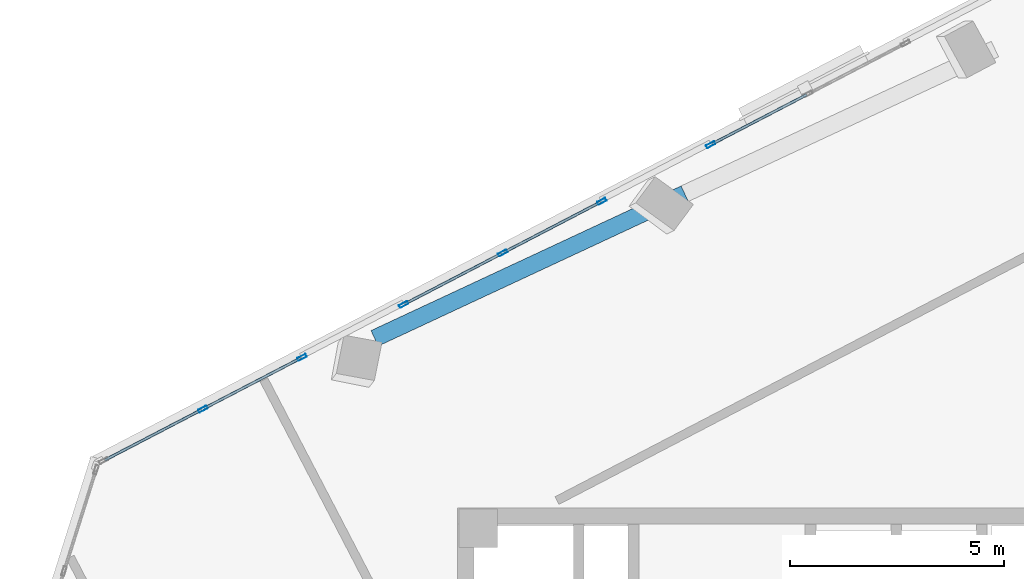
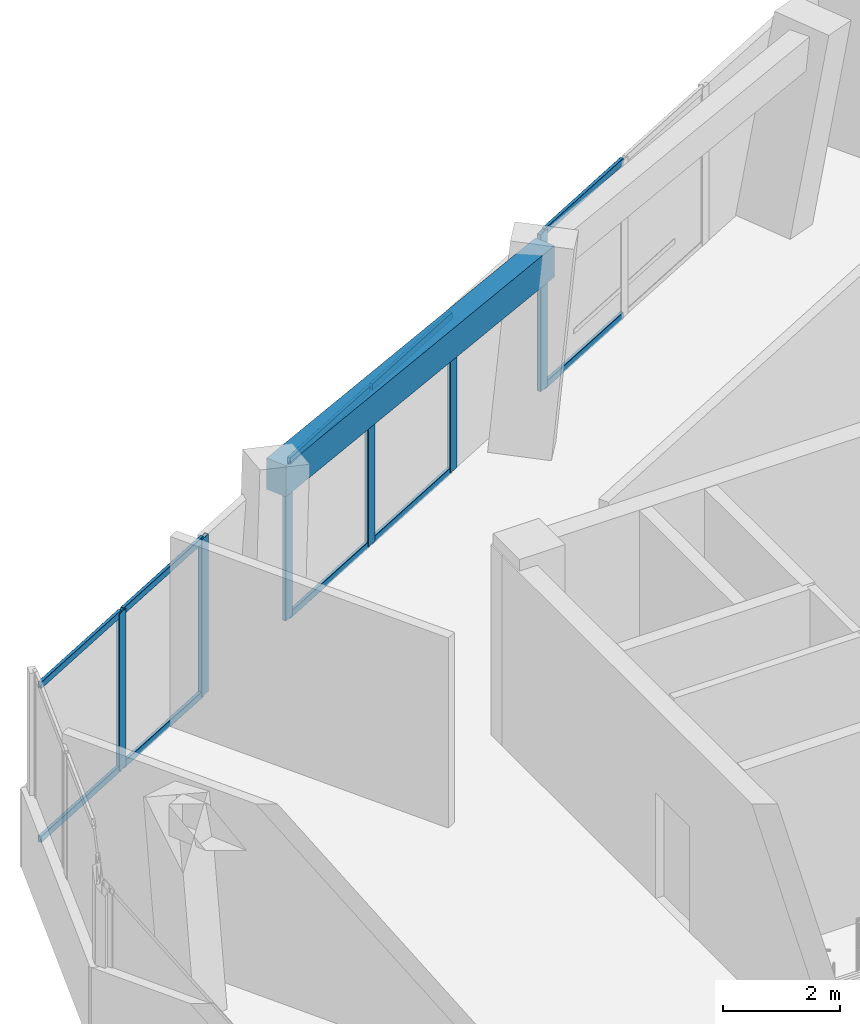
# One storey, part 8 of 16: 16 members, 1 beam, 3 elements without a shape of their own.
"""IFC4 building model written with IfcOpenShell, lengths in metres."""

from ifc_helpers import new_model, si_unit, direction, frame, origin, origin_2d, place, context, subcontext, project, spatial, rectangle, hollow_rectangle, extrude, source, transform, mapped, material, material_profile, profile_set, type_object, element, aggregate, save


model = new_model("IFC4")

# Units and contexts
model_context = context("Model", 3, precision=1e-05, world=origin(), true_north=direction((0.0, 1.0)))
body_context = subcontext(model_context, "Body", "Model", "MODEL_VIEW")
ifc_project = project(units=[si_unit("LENGTHUNIT", "METRE"), si_unit("AREAUNIT", "SQUARE_METRE"), si_unit("VOLUMEUNIT", "CUBIC_METRE"), si_unit("PLANEANGLEUNIT", "RADIAN"), si_unit("MASSUNIT", "GRAM", prefix="KILO")], contexts=[model_context])

# Site, building, storey
site_placement = place(None, origin())
site = spatial("IfcSite", under=ifc_project, at=site_placement, CompositionType="ELEMENT")
building_placement = place(site_placement, origin())
building = spatial("IfcBuilding", under=site, at=building_placement, Name="Torre Montelarca", CompositionType="ELEMENT")
storey_placement = place(building_placement, frame((0.0, 0.0, 336.60009765625)))
storey = spatial("IfcBuildingStorey", under=building, at=storey_placement, Name="L76", CompositionType="ELEMENT", Elevation=336.60009765625)

# Beam
ifc_material_1 = material(Name="Concrete C40/50", Category="concrete")
ifc_material_profile_1 = material_profile(ifc_material_1, rectangle(XDim=0.39990234375, YDim=0.64990234375, at=origin_2d()), Name="RCB400X650", Category="concrete")
ifc_profile_set_1 = profile_set([ifc_material_profile_1], Name="Concrete C40/50")
beam_type = type_object("IfcBeamType", Name="BM-SP-RC650-EXT", PredefinedType="SPANDREL", material=ifc_profile_set_1)
shared_shape_1 = source(origin(), body_context, "Body", "SweptSolid", [
    extrude(rectangle(XDim=0.39990234375, YDim=0.64990234375, at=origin_2d()), origin(), (0.0, 0.0, 1.0), 8.0),
])
beam_placement = place(storey_placement, frame((7.12841796875, 43.890380859375, 3.635009765625), z_axis=(0.906312519031, 0.422608113797, 0.0), x_axis=(-0.422608113797, 0.906312519031, 0.0)))
element("IfcBeam", 1, at=beam_placement, inside=storey, type_object=beam_type, Name="L76 Grid Girder Y 24.0-32.0 at X=4.7", PredefinedType="SPANDREL", context=body_context, shape_type="MappedRepresentation", body=[
    mapped(shared_shape_1, transform((0.0, 0.0, 0.0), scale=1.0)),
])

# Curtain wall, member
ifc_material_2 = material(Name="Insulated low-E laminated glass", Category="glass")
curtain_wall_type = type_object("IfcCurtainWallType", Name="CW-SYS-Z4", PredefinedType="USERDEFINED", material=ifc_material_2)
curtain_wall_1_placement = place(storey_placement, origin())
curtain_wall_1 = element("IfcCurtainWall", 2, at=curtain_wall_1_placement, inside=storey, type_object=curtain_wall_type, Name="L76 Curtain Wall Run CW-T3-L76-E10-B1", ObjectType="UNITISED GLAZING", PredefinedType="USERDEFINED")
ifc_material_3 = material(Name="Anodised aluminium AA 6063-T6", Category="aluminium")
ifc_material_profile_2 = material_profile(ifc_material_3, hollow_rectangle(XDim=0.074951171875, YDim=0.219970703125, WallThickness=0.0048828125, InnerFilletRadius=0.0048828125, OuterFilletRadius=0.010009765625, at=origin_2d()), Name="ALU75X220X5", Category="aluminium")
ifc_profile_set_2 = profile_set([ifc_material_profile_2], Name="Anodised aluminium AA 6063-T6")
member_type_1 = type_object("IfcMemberType", Name="CWM-ALU220", PredefinedType="MULLION", material=ifc_profile_set_2)
shared_shape_2 = source(origin(), body_context, "Body", "SweptSolid", [
    extrude(hollow_rectangle(XDim=0.074951171875, YDim=0.219970703125, WallThickness=0.0048828125, InnerFilletRadius=0.0048828125, OuterFilletRadius=0.010009765625, at=origin_2d()), origin(), (0.0, 0.0, 1.0), 3.27490234375),
])
member_1_placement = place(storey_placement, frame((14.986083984375, 48.417236328125, 0.0), z_axis=(0.0, 0.0, 1.0), x_axis=(0.461755572898, -0.887007210172, 0.0)))
member_1 = element("IfcMember", 3, at=member_1_placement, type_object=member_type_1, Name="CW mullion 3", PredefinedType="MULLION", context=body_context, shape_type="MappedRepresentation", body=[
    mapped(shared_shape_2, transform((0.0, 0.0, 0.0), scale=1.0)),
])

# Curtain wall, members
curtain_wall_2_placement = place(storey_placement, origin())
curtain_wall_2 = element("IfcCurtainWall", 4, at=curtain_wall_2_placement, inside=storey, type_object=curtain_wall_type, Name="L76 Curtain Wall Run CW-T3-L76-E10-B2", ObjectType="UNITISED GLAZING", PredefinedType="USERDEFINED")
member_2_placement = place(storey_placement, frame((12.440185546875, 47.091796875, 0.0), z_axis=(0.0, 0.0, 1.0), x_axis=(0.461757456773, -0.887006229468, 0.0)))
member_2 = element("IfcMember", 5, at=member_2_placement, type_object=member_type_1, Name="CW mullion 1", PredefinedType="MULLION", context=body_context, shape_type="MappedRepresentation", body=[
    mapped(shared_shape_2, transform((0.0, 0.0, 0.0), scale=1.0)),
])
member_3_placement = place(storey_placement, frame((10.1240234375, 45.88623046875, 0.0), z_axis=(0.0, 0.0, 1.0), x_axis=(0.461757456773, -0.887006229468, 0.0)))
member_3 = element("IfcMember", 6, at=member_3_placement, type_object=member_type_1, Name="CW mullion 2", PredefinedType="MULLION", context=body_context, shape_type="MappedRepresentation", body=[
    mapped(shared_shape_2, transform((0.0, 0.0, 0.0), scale=1.0)),
])
member_4_placement = place(storey_placement, frame((7.807861328125, 44.680419921875, 0.0), z_axis=(0.0, 0.0, 1.0), x_axis=(0.461757456773, -0.887006229468, 0.0)))
member_4 = element("IfcMember", 7, at=member_4_placement, type_object=member_type_1, Name="CW mullion 3", PredefinedType="MULLION", context=body_context, shape_type="MappedRepresentation", body=[
    mapped(shared_shape_2, transform((0.0, 0.0, 0.0), scale=1.0)),
])

curtain_wall_3_placement = place(storey_placement, origin())
curtain_wall_3 = element("IfcCurtainWall", 8, at=curtain_wall_3_placement, inside=storey, type_object=curtain_wall_type, Name="L76 Curtain Wall Run CW-T3-L76-E10-B3", ObjectType="UNITISED GLAZING", PredefinedType="USERDEFINED")
member_5_placement = place(storey_placement, frame((5.4326171875, 43.444091796875, 0.0), z_axis=(0.0, 0.0, 1.0), x_axis=(0.46173914052, -0.887015764297, 0.0)))
member_5 = element("IfcMember", 9, at=member_5_placement, type_object=member_type_1, Name="CW mullion 1", PredefinedType="MULLION", context=body_context, shape_type="MappedRepresentation", body=[
    mapped(shared_shape_2, transform((0.0, 0.0, 0.0), scale=1.0)),
])
member_6_placement = place(storey_placement, frame((3.113525390625, 42.23681640625, 0.0), z_axis=(0.0, 0.0, 1.0), x_axis=(0.46173914052, -0.887015764297, 0.0)))
member_6 = element("IfcMember", 10, at=member_6_placement, type_object=member_type_1, Name="CW mullion 2", PredefinedType="MULLION", context=body_context, shape_type="MappedRepresentation", body=[
    mapped(shared_shape_2, transform((0.0, 0.0, 0.0), scale=1.0)),
])
ifc_material_profile_3 = material_profile(ifc_material_3, hollow_rectangle(XDim=0.06494140625, YDim=0.139892578125, WallThickness=0.00390625, InnerFilletRadius=0.00390625, OuterFilletRadius=0.008056640625, at=origin_2d()), Name="ALU65X140X4", Category="aluminium")
ifc_profile_set_3 = profile_set([ifc_material_profile_3], Name="Anodised aluminium AA 6063-T6")
member_type_2 = type_object("IfcMemberType", Name="CWT-ALU140", PredefinedType="USERDEFINED", material=ifc_profile_set_3)
shared_shape_3 = source(origin(), body_context, "Body", "SweptSolid", [
    extrude(hollow_rectangle(XDim=0.06494140625, YDim=0.139892578125, WallThickness=0.00390625, InnerFilletRadius=0.00390625, OuterFilletRadius=0.008056640625, at=origin_2d()), origin(), (0.0, 0.0, 1.0), 2.53955078125),
])
member_7_placement = place(storey_placement, frame((3.080322265625, 42.219482421875, 0.032470703125), z_axis=(-0.887021549542, -0.461728026709, 0.0), x_axis=(0.461728026709, -0.887021549542, 0.0)))
member_7 = element("IfcMember", 11, at=member_7_placement, type_object=member_type_2, Name="CW transom 2.1", ObjectType="TRANSOM", PredefinedType="USERDEFINED", context=body_context, shape_type="MappedRepresentation", body=[
    mapped(shared_shape_3, transform((0.0, 0.0, 0.0), scale=1.0)),
])
member_8_placement = place(storey_placement, frame((3.080322265625, 42.219482421875, 3.242431640625), z_axis=(-0.887021549542, -0.461728026709, 0.0), x_axis=(0.461728026709, -0.887021549542, 0.0)))
member_8 = element("IfcMember", 12, at=member_8_placement, type_object=member_type_2, Name="CW transom 2.2", ObjectType="TRANSOM", PredefinedType="USERDEFINED", context=body_context, shape_type="MappedRepresentation", body=[
    mapped(shared_shape_3, transform((0.0, 0.0, 0.0), scale=1.0)),
])
shared_shape_4 = source(origin(), body_context, "Body", "SweptSolid", [
    extrude(hollow_rectangle(XDim=0.06494140625, YDim=0.139892578125, WallThickness=0.00390625, InnerFilletRadius=0.00390625, OuterFilletRadius=0.008056640625, at=origin_2d()), origin(), (0.0, 0.0, 1.0), 2.539306640625),
])
member_9_placement = place(storey_placement, frame((5.3994140625, 43.4267578125, 0.032470703125), z_axis=(-0.887001052005, -0.461767402209, 0.0), x_axis=(0.461767402209, -0.887001052005, 0.0)))
member_9 = element("IfcMember", 13, at=member_9_placement, type_object=member_type_2, Name="CW transom 1.1", ObjectType="TRANSOM", PredefinedType="USERDEFINED", context=body_context, shape_type="MappedRepresentation", body=[
    mapped(shared_shape_4, transform((0.0, 0.0, 0.0), scale=1.0)),
])
member_10_placement = place(storey_placement, frame((5.3994140625, 43.4267578125, 3.242431640625), z_axis=(-0.887001052005, -0.461767402209, 0.0), x_axis=(0.461767402209, -0.887001052005, 0.0)))
member_10 = element("IfcMember", 14, at=member_10_placement, type_object=member_type_2, Name="CW transom 1.2", ObjectType="TRANSOM", PredefinedType="USERDEFINED", context=body_context, shape_type="MappedRepresentation", body=[
    mapped(shared_shape_4, transform((0.0, 0.0, 0.0), scale=1.0)),
])
aggregate(curtain_wall_3, [member_5, member_6, member_9, member_10, member_7, member_8])

# Member
shared_shape_5 = source(origin(), body_context, "Body", "SweptSolid", [
    extrude(hollow_rectangle(XDim=0.06494140625, YDim=0.139892578125, WallThickness=0.00390625, InnerFilletRadius=0.00390625, OuterFilletRadius=0.008056640625, at=origin_2d()), origin(), (0.0, 0.0, 1.0), 2.489990234375),
])
member_11_placement = place(storey_placement, frame((17.227783203125, 49.584228515625, 0.032470703125), z_axis=(-0.886972660132, -0.461821935576, 0.0), x_axis=(0.461821935576, -0.886972660132, 0.0)))
member_11 = element("IfcMember", 15, at=member_11_placement, type_object=member_type_2, Name="CW transom 2.1", ObjectType="TRANSOM", PredefinedType="USERDEFINED", context=body_context, shape_type="MappedRepresentation", body=[
    mapped(shared_shape_5, transform((0.0, 0.0, 0.0), scale=1.0)),
])

member_12_placement = place(storey_placement, frame((17.227783203125, 49.584228515625, 3.242431640625), z_axis=(-0.886972660132, -0.461821935576, 0.0), x_axis=(0.461821935576, -0.886972660132, 0.0)))
member_12 = element("IfcMember", 16, at=member_12_placement, type_object=member_type_2, Name="CW transom 2.2", ObjectType="TRANSOM", PredefinedType="USERDEFINED", context=body_context, shape_type="MappedRepresentation", body=[
    mapped(shared_shape_5, transform((0.0, 0.0, 0.0), scale=1.0)),
])

aggregate(curtain_wall_1, [member_1, member_11, member_12])

shared_shape_6 = source(origin(), body_context, "Body", "SweptSolid", [
    extrude(hollow_rectangle(XDim=0.06494140625, YDim=0.139892578125, WallThickness=0.00390625, InnerFilletRadius=0.00390625, OuterFilletRadius=0.008056640625, at=origin_2d()), origin(), (0.0, 0.0, 1.0), 2.5361328125),
])
member_13_placement = place(storey_placement, frame((12.406982421875, 47.074462890625, 0.032470703125), z_axis=(-0.887051256532, -0.461670952396, 0.0), x_axis=(0.461670952396, -0.887051256532, 0.0)))
member_13 = element("IfcMember", 17, at=member_13_placement, type_object=member_type_2, Name="CW transom 1.1", ObjectType="TRANSOM", PredefinedType="USERDEFINED", context=body_context, shape_type="MappedRepresentation", body=[
    mapped(shared_shape_6, transform((0.0, 0.0, 0.0), scale=1.0)),
])

member_14_placement = place(storey_placement, frame((12.406982421875, 47.074462890625, 3.242431640625), z_axis=(-0.887051256532, -0.461670952396, 0.0), x_axis=(0.461670952396, -0.887051256532, 0.0)))
member_14 = element("IfcMember", 18, at=member_14_placement, type_object=member_type_2, Name="CW transom 1.2", ObjectType="TRANSOM", PredefinedType="USERDEFINED", context=body_context, shape_type="MappedRepresentation", body=[
    mapped(shared_shape_6, transform((0.0, 0.0, 0.0), scale=1.0)),
])

shared_shape_7 = source(origin(), body_context, "Body", "SweptSolid", [
    extrude(hollow_rectangle(XDim=0.06494140625, YDim=0.139892578125, WallThickness=0.00390625, InnerFilletRadius=0.00390625, OuterFilletRadius=0.008056640625, at=origin_2d()), origin(), (0.0, 0.0, 1.0), 2.536376953125),
])
member_15_placement = place(storey_placement, frame((10.0908203125, 45.868896484375, 0.032470703125), z_axis=(-0.887011833414, -0.461746691795, 0.0), x_axis=(0.461746691795, -0.887011833414, 0.0)))
member_15 = element("IfcMember", 19, at=member_15_placement, type_object=member_type_2, Name="CW transom 2.1", ObjectType="TRANSOM", PredefinedType="USERDEFINED", context=body_context, shape_type="MappedRepresentation", body=[
    mapped(shared_shape_7, transform((0.0, 0.0, 0.0), scale=1.0)),
])

member_16_placement = place(storey_placement, frame((10.0908203125, 45.868896484375, 3.242431640625), z_axis=(-0.887011833414, -0.461746691795, 0.0), x_axis=(0.461746691795, -0.887011833414, 0.0)))
member_16 = element("IfcMember", 20, at=member_16_placement, type_object=member_type_2, Name="CW transom 2.2", ObjectType="TRANSOM", PredefinedType="USERDEFINED", context=body_context, shape_type="MappedRepresentation", body=[
    mapped(shared_shape_7, transform((0.0, 0.0, 0.0), scale=1.0)),
])

aggregate(curtain_wall_2, [member_2, member_3, member_4, member_13, member_14, member_15, member_16])

save(model, "model.ifc")
